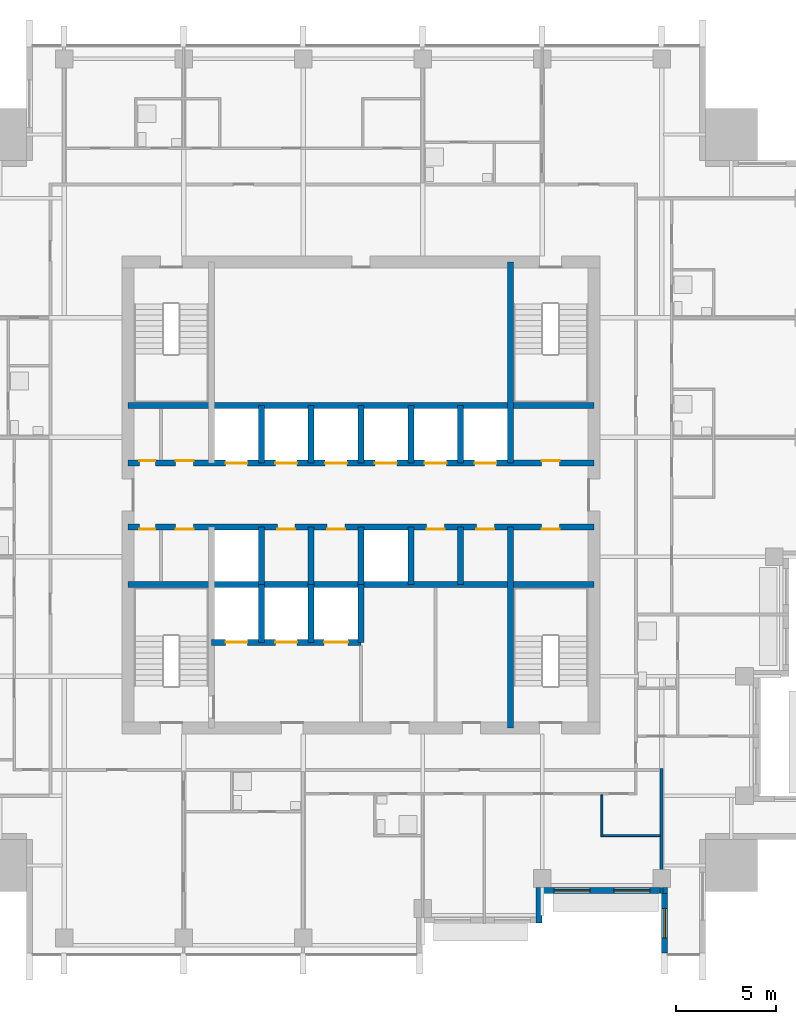
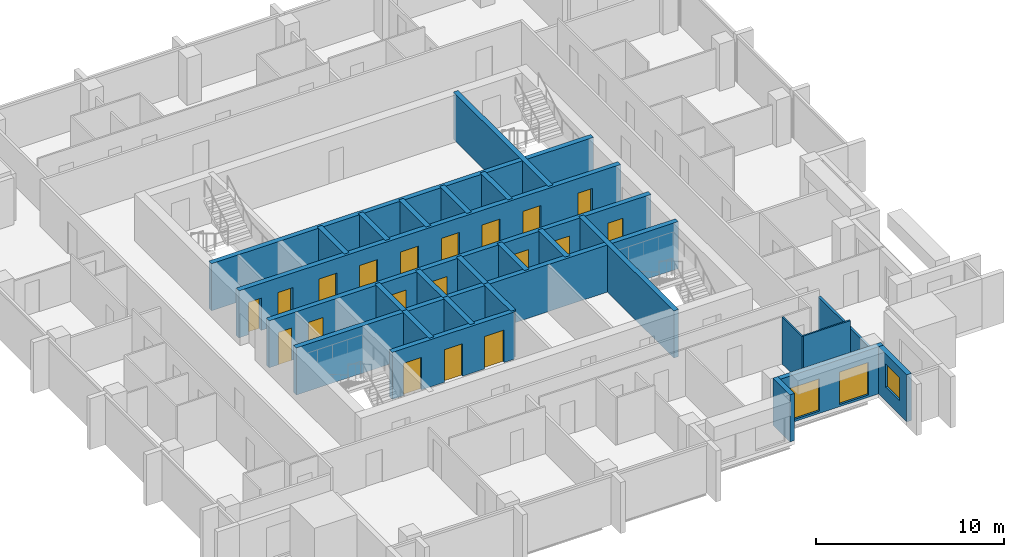
# One storey, part 5 of 10: 26 walls, 19 doors, 3 windows, 22 openings.
"""IFC4 building model written with IfcOpenShell, lengths in metres."""

import ifcopenshell
import ifcopenshell.guid

model = None  # the IFC model being written
_history = None  # IfcOwnerHistory: only IFC2X3 demands one
_inside = {}  # id of a spatial element -> (the spatial element, [elements in it])
_under = {}  # id of a project, library or spatial element -> (it, [spatial elements below it])
_declared = {}  # id of a project -> (the project, [libraries it declares])
_typed = {}  # id of a type object -> (the type object, [elements of that type])
_made_of = {}  # id of a material, layer set ... -> (it, [elements and type objects made of it])


def new_model(schema):
    """Start an empty IFC model of exactly this schema.

    Asked for "IFC4X3", IfcOpenShell would pick the latest addendum, in which some entities
    have other attributes; the version numbers below select the first issue.
    IFC2X3 requires an IfcOwnerHistory on every rooted entity: one is made here for all.
    """
    global model, _history
    if schema == "IFC4X3":
        model = ifcopenshell.file(schema_version=(4, 3, 0, 0))
    else:
        model = ifcopenshell.file(schema=schema)
    _inside.clear()
    _under.clear()
    _declared.clear()
    _typed.clear()
    _made_of.clear()
    _history = None
    if model.schema == "IFC2X3":
        org = make("IfcOrganization", Name="unknown")
        user = make(
            "IfcPersonAndOrganization",
            ThePerson=make("IfcPerson", FamilyName="unknown"),
            TheOrganization=org,
        )
        app = make(
            "IfcApplication",
            ApplicationDeveloper=org,
            Version="unknown",
            ApplicationFullName="unknown",
            ApplicationIdentifier="unknown",
        )
        _history = make(
            "IfcOwnerHistory",
            OwningUser=user,
            OwningApplication=app,
            ChangeAction="ADDED",
            CreationDate=0,
        )
    return model


def make(cls, **values):
    """One entity of the class cls with the attributes given. An attribute that is None is left unset."""
    return model.create_entity(
        cls, **{name: value for name, value in values.items() if value is not None}
    )


def rooted(cls, **values):
    """An entity with a GlobalId (a new one), such as an element, a storey or a relation."""
    return make(cls, GlobalId=ifcopenshell.guid.new(), OwnerHistory=_history, **values)


def si_unit(unit_type, name, prefix=None):
    """IfcSIUnit, for example si_unit("LENGTHUNIT", "METRE", prefix="MILLI")."""
    return make("IfcSIUnit", UnitType=unit_type, Prefix=prefix, Name=name)


def assignment(units):
    """IfcUnitAssignment: the units of a project."""
    return None if units is None else make("IfcUnitAssignment", Units=units)


def point(xyz):
    """IfcCartesianPoint."""
    return None if xyz is None else make("IfcCartesianPoint", Coordinates=xyz)


def direction(xyz):
    """IfcDirection."""
    return None if xyz is None else make("IfcDirection", DirectionRatios=xyz)


def frame(location, z_axis=None, x_axis=None):
    """IfcAxis2Placement3D, a coordinate frame: its origin and axes. An axis left out is left unset."""
    return make(
        "IfcAxis2Placement3D",
        Location=point(location),
        Axis=direction(z_axis),
        RefDirection=direction(x_axis),
    )


def frame_2d(location, x_axis=None):
    """IfcAxis2Placement2D, a coordinate frame in the plane: its origin and x axis."""
    return make(
        "IfcAxis2Placement2D", Location=point(location), RefDirection=direction(x_axis)
    )


def origin():
    """The frame at (0, 0, 0) with its axes left unset."""
    return frame((0.0, 0.0, 0.0))


def place(relative_to, where):
    """IfcLocalPlacement: puts the frame where relative to a parent placement (None: the world)."""
    return make(
        "IfcLocalPlacement", PlacementRelTo=relative_to, RelativePlacement=where
    )


def context(
    kind, dimensions, precision=None, world=None, true_north=None, identifier=None
):
    """IfcGeometricRepresentationContext, for example the 3D "Model" context."""
    return make(
        "IfcGeometricRepresentationContext",
        ContextIdentifier=identifier,
        ContextType=kind,
        CoordinateSpaceDimension=dimensions,
        Precision=precision,
        WorldCoordinateSystem=world,
        TrueNorth=true_north,
    )


def subcontext(parent, identifier, kind, view, scale=None):
    """IfcGeometricRepresentationSubContext, for example "Body" below "Model"."""
    return make(
        "IfcGeometricRepresentationSubContext",
        ContextIdentifier=identifier,
        ContextType=kind,
        ParentContext=parent,
        TargetScale=scale,
        TargetView=view,
    )


def project(units=None, contexts=None):
    """IfcProject with its units and contexts."""
    return rooted(
        "IfcProject",
        Name="project",
        RepresentationContexts=contexts,
        UnitsInContext=assignment(units),
    )


def spatial(cls, under=None, at=None, **own):
    """A site, building, storey or space (cls), placed at a placement, below another one or the project."""
    s = rooted(cls, ObjectPlacement=at, **own)
    if under is not None:
        _under.setdefault(under.id(), (under, []))[1].append(s)
    return s


def profile(cls, at=None, kind="AREA", **sizes):
    """A parametric profile (cls). Its sizes go by their IFC names, for example OverallWidth=200.0."""
    return make(cls, ProfileType=kind, Position=at, **sizes)


def rectangle(**sizes):
    """IfcRectangleProfileDef."""
    return profile("IfcRectangleProfileDef", **sizes)


def extrude(swept, where, along, depth):
    """IfcExtrudedAreaSolid: the profile swept, set in the frame where, extruded along a direction by depth."""
    return make(
        "IfcExtrudedAreaSolid",
        SweptArea=swept,
        Position=where,
        ExtrudedDirection=direction(along),
        Depth=depth,
    )


def shape(context_of_items, identifier, shape_type, items):
    """IfcShapeRepresentation: the items that make up one representation, for example the "Body"."""
    return make(
        "IfcShapeRepresentation",
        ContextOfItems=context_of_items,
        RepresentationIdentifier=identifier,
        RepresentationType=shape_type,
        Items=items,
    )


def material(Name=None, Category=None):
    """IfcMaterial."""
    return make("IfcMaterial", Name=Name, Category=Category)


def layer(
    of_material, thickness, ventilated=None, Name=None, Category=None, Priority=None
):
    """IfcMaterialLayer: one layer of a wall or slab, of a material (None: an air gap)."""
    return make(
        "IfcMaterialLayer",
        Material=of_material,
        LayerThickness=thickness,
        IsVentilated=ventilated,
        Name=Name,
        Category=Category,
        Priority=Priority,
    )


def layer_set(layers, Name=None):
    """IfcMaterialLayerSet."""
    return make("IfcMaterialLayerSet", MaterialLayers=layers, LayerSetName=Name)


def made_of(thing, what):
    """Note that an element or type object is made of a material, layer set ...; save() writes the relation."""
    if what is not None:
        _made_of.setdefault(what.id(), (what, []))[1].append(thing)
    return thing


def type_object(cls, material=None, **own):
    """A type object (cls), such as IfcWallType, which elements share."""
    return made_of(rooted(cls, **own), material)


def element(
    cls,
    number,
    at=None,
    inside=None,
    cuts=None,
    type_object=None,
    material=None,
    context=None,
    identifier="Body",
    shape_type=None,
    held_by="IfcProductDefinitionShape",
    body=None,
    shapes=None,
    **own,
):
    """One element of the class cls, such as IfcWall. Its Tag is "e" and its number.

    at: its placement. inside: the storey or other place that contains it. cuts: it is an
    opening in that element (IfcRelVoidsElement). A single representation is given by context,
    identifier, shape_type and body (its items); several are given by shapes. held_by: the class
    of the entity that holds the representations. save() writes the other relations.
    """
    e = rooted(cls, Tag="e%d" % number, ObjectPlacement=at, **own)
    if body is not None:
        shapes = [shape(context, identifier, shape_type, body)]
    if shapes is not None:
        e.Representation = make(held_by, Representations=shapes)
    if inside is not None:
        _inside.setdefault(inside.id(), (inside, []))[1].append(e)
    if cuts is not None:
        rooted(
            "IfcRelVoidsElement", RelatingBuildingElement=cuts, RelatedOpeningElement=e
        )
    if type_object is not None:
        _typed.setdefault(type_object.id(), (type_object, []))[1].append(e)
    return made_of(e, material)


def fill(opening, filler):
    """IfcRelFillsElement: the door or window that sits in an opening."""
    return rooted(
        "IfcRelFillsElement",
        RelatingOpeningElement=opening,
        RelatedBuildingElement=filler,
    )


def aggregate(whole, parts):
    """IfcRelAggregates: a whole, such as a stair, and the parts it consists of."""
    return rooted("IfcRelAggregates", RelatingObject=whole, RelatedObjects=parts)


def save(model, path):
    """Write the relations noted so far, then the file.

    IfcRelAggregates (storeys below a building ...), IfcRelContainedInSpatialStructure (elements
    in a storey), IfcRelDefinesByType, IfcRelAssociatesMaterial and IfcRelDeclares: one each for
    every whole, place, type object, material and project.
    """
    for whole, parts in _under.values():
        aggregate(whole, parts)
    for where, things in _inside.values():
        rooted(
            "IfcRelContainedInSpatialStructure",
            RelatedElements=things,
            RelatingStructure=where,
        )
    for kind, things in _typed.values():
        rooted("IfcRelDefinesByType", RelatedObjects=things, RelatingType=kind)
    for what, things in _made_of.values():
        rooted("IfcRelAssociatesMaterial", RelatedObjects=things, RelatingMaterial=what)
    for by, libraries in _declared.values():
        rooted("IfcRelDeclares", RelatingContext=by, RelatedDefinitions=libraries)
    model.write(path)


model = new_model("IFC4")

# Units and contexts
model_context = context("Model", 3, precision=1e-05, world=origin(), true_north=direction((0.0, 1.0)))
body_context = subcontext(model_context, "Body", "Model", "MODEL_VIEW")
ifc_project = project(units=[si_unit("LENGTHUNIT", "METRE"), si_unit("AREAUNIT", "SQUARE_METRE"), si_unit("VOLUMEUNIT", "CUBIC_METRE"), si_unit("PLANEANGLEUNIT", "RADIAN"), si_unit("MASSUNIT", "GRAM", prefix="KILO")], contexts=[model_context])

# Site, building, storey
site_placement = place(None, origin())
site = spatial("IfcSite", under=ifc_project, at=site_placement, CompositionType="ELEMENT")
building_placement = place(site_placement, origin())
building = spatial("IfcBuilding", under=site, at=building_placement, Name="Amberfall Residences", CompositionType="ELEMENT")
storey_placement = place(building_placement, frame((0.0, 0.0, 193.60009765625)))
storey = spatial("IfcBuildingStorey", under=building, at=storey_placement, Name="L51", CompositionType="ELEMENT", Elevation=193.60009765625)

# Wall
ifc_material_1 = material(Name="Pale stone cladding on insulated backing", Category="masonry")
ifc_layer_1 = layer(ifc_material_1, 0.300048828125)
ifc_layer_set_1 = layer_set([ifc_layer_1], Name="Bronze clad wall 300")
wall_type_1 = type_object("IfcWallType", Name="Bronze clad wall 300", PredefinedType="SOLIDWALL", material=ifc_layer_set_1)
wall_1_placement = place(storey_placement, frame((83.449951171875, 24.0, 0.0), z_axis=(0.0, 0.0, 1.0), x_axis=(0.0, 1.0, 0.0)))
element("IfcWall", 1, at=wall_1_placement, inside=storey, type_object=wall_type_1, Name="External wall L51 S", PredefinedType="SOLIDWALL", context=body_context, shape_type="SweptSolid", body=[
    extrude(rectangle(XDim=1.800048828125, YDim=0.300048828125, at=frame_2d((0.89990234375, 0.0))), origin(), (0.0, 0.0, 1.0), 3.0498046875),
])

# Wall, opening, window
wall_2_placement = place(storey_placement, frame((89.75, 25.5, 0.0), z_axis=(0.0, 0.0, 1.0), x_axis=(0.0, -1.0, 0.0)))
wall_2 = element("IfcWall", 2, at=wall_2_placement, inside=storey, type_object=wall_type_1, Name="External wall L51 S", PredefinedType="SOLIDWALL", context=body_context, shape_type="SweptSolid", body=[
    extrude(rectangle(XDim=3.0, YDim=0.300048828125, at=frame_2d((1.5, 0.0))), origin(), (0.0, 0.0, 1.0), 3.0498046875),
])
opening_1_placement = place(wall_2_placement, frame((0.75, 0.0, 0.89990234375)))
opening_1 = element("IfcOpeningElement", 3, at=opening_1_placement, cuts=wall_2, Name="Opening WN1", PredefinedType="OPENING", context=body_context, shape_type="SweptSolid", body=[
    extrude(rectangle(XDim=1.5, YDim=1.5, at=frame_2d((0.75, 0.75))), frame((0.0, 0.159912109375, 0.0), z_axis=(0.0, -1.0, 0.0), x_axis=(1.0, 0.0, 0.0)), (0.0, 0.0, 1.0), 0.320068359375),
])
ifc_material_2 = material(Name="Bronze aluminium framed glazing", Category="aluminium")
window_type_1 = type_object("IfcWindowType", Name="Window 1500 x 1500 bronze", PartitioningType="DOUBLE_PANEL_VERTICAL", PredefinedType="WINDOW", material=ifc_material_2)
window_1_placement = place(opening_1_placement, origin())
window_1 = element("IfcWindow", 4, at=window_1_placement, inside=storey, type_object=window_type_1, Name="Window L51 S", OverallHeight=1.5, OverallWidth=1.5, PartitioningType="DOUBLE_PANEL_VERTICAL", PredefinedType="WINDOW", context=body_context, shape_type="SweptSolid", body=[
    extrude(rectangle(XDim=1.5, YDim=1.5, at=frame_2d((0.75, 0.75))), frame((0.0, 0.030029296875, 0.0), z_axis=(0.0, -1.0, 0.0), x_axis=(1.0, 0.0, 0.0)), (0.0, 0.0, 1.0), 0.06005859375),
])
fill(opening_1, window_1)

# Wall, openings, windows
wall_3_placement = place(storey_placement, frame((83.60009765625, 25.64990234375, 0.0), z_axis=(0.0, 0.0, 1.0), x_axis=(1.0, 0.0, 0.0)))
wall_3 = element("IfcWall", 5, at=wall_3_placement, inside=storey, type_object=wall_type_1, Name="Stone wall L51 S", PredefinedType="SOLIDWALL", context=body_context, shape_type="SweptSolid", body=[
    extrude(rectangle(XDim=6.2998046875, YDim=0.300048828125, at=frame_2d((3.14990234375, 0.0))), origin(), (0.0, 0.0, 1.0), 3.0498046875),
])
opening_2_placement = place(wall_3_placement, frame((0.60009765625, 0.0, 0.14990234375)))
opening_2 = element("IfcOpeningElement", 6, at=opening_2_placement, cuts=wall_3, Name="Opening WN6", PredefinedType="OPENING", context=body_context, shape_type="SweptSolid", body=[
    extrude(rectangle(XDim=1.800048828125, YDim=2.10009765625, at=frame_2d((0.89990234375, 1.050048828125))), frame((0.0, 0.159912109375, 0.0), z_axis=(0.0, -1.0, 0.0), x_axis=(1.0, 0.0, 0.0)), (0.0, 0.0, 1.0), 0.320068359375),
])
opening_3_placement = place(wall_3_placement, frame((3.60009765625, 0.0, 0.14990234375)))
opening_3 = element("IfcOpeningElement", 7, at=opening_3_placement, cuts=wall_3, Name="Opening WN6", PredefinedType="OPENING", context=body_context, shape_type="SweptSolid", body=[
    extrude(rectangle(XDim=1.800048828125, YDim=2.10009765625, at=frame_2d((0.89990234375, 1.050048828125))), frame((0.0, 0.159912109375, 0.0), z_axis=(0.0, -1.0, 0.0), x_axis=(1.0, 0.0, 0.0)), (0.0, 0.0, 1.0), 0.320068359375),
])
window_type_2 = type_object("IfcWindowType", Name="Glazed opening 1800 x 2100 bronze", PartitioningType="DOUBLE_PANEL_VERTICAL", PredefinedType="WINDOW", material=ifc_material_2)
window_2_placement = place(opening_2_placement, origin())
window_2 = element("IfcWindow", 8, at=window_2_placement, inside=storey, type_object=window_type_2, Name="Window L51 S", OverallHeight=2.10009765625, OverallWidth=1.800048828125, PartitioningType="DOUBLE_PANEL_VERTICAL", PredefinedType="WINDOW", context=body_context, shape_type="SweptSolid", body=[
    extrude(rectangle(XDim=1.800048828125, YDim=2.10009765625, at=frame_2d((0.89990234375, 1.050048828125))), frame((0.0, 0.030029296875, 0.0), z_axis=(0.0, -1.0, 0.0), x_axis=(1.0, 0.0, 0.0)), (0.0, 0.0, 1.0), 0.06005859375),
])
fill(opening_2, window_2)
window_3_placement = place(opening_3_placement, origin())
window_3 = element("IfcWindow", 9, at=window_3_placement, inside=storey, type_object=window_type_2, Name="Window L51 S", OverallHeight=2.10009765625, OverallWidth=1.800048828125, PartitioningType="DOUBLE_PANEL_VERTICAL", PredefinedType="WINDOW", context=body_context, shape_type="SweptSolid", body=[
    extrude(rectangle(XDim=1.800048828125, YDim=2.10009765625, at=frame_2d((0.89990234375, 1.050048828125))), frame((0.0, 0.030029296875, 0.0), z_axis=(0.0, -1.0, 0.0), x_axis=(1.0, 0.0, 0.0)), (0.0, 0.0, 1.0), 0.06005859375),
])
fill(opening_3, window_3)

# Wall
ifc_material_3 = material(Name="Concrete C55", Category="concrete")
ifc_layer_2 = layer(ifc_material_3, 0.300048828125)
ifc_layer_set_2 = layer_set([ifc_layer_2], Name="Core wall 300 C55")
wall_type_2 = type_object("IfcWallType", Name="Core wall 300 C55", PredefinedType="SHEAR", material=ifc_layer_set_2)
wall_4_placement = place(storey_placement, frame((62.800048828125, 41.0, 0.0), z_axis=(0.0, 0.0, 1.0), x_axis=(1.0, 0.0, 0.0)))
element("IfcWall", 10, at=wall_4_placement, inside=storey, type_object=wall_type_2, Name="Core wall RW8 L51 H75", PredefinedType="SHEAR", context=body_context, shape_type="SweptSolid", body=[
    extrude(rectangle(XDim=23.39990234375, YDim=0.300048828125, at=frame_2d((11.699951171875, 0.0))), origin(), (0.0, 0.0, 1.0), 3.0498046875),
])

# Wall, openings, doors
wall_5_placement = place(storey_placement, frame((62.800048828125, 43.89990234375, 0.0), z_axis=(0.0, 0.0, 1.0), x_axis=(1.0, 0.0, 0.0)))
wall_5 = element("IfcWall", 11, at=wall_5_placement, inside=storey, type_object=wall_type_2, Name="Core wall RW8 L51 H104", PredefinedType="SHEAR", context=body_context, shape_type="SweptSolid", body=[
    extrude(rectangle(XDim=23.39990234375, YDim=0.300048828125, at=frame_2d((11.699951171875, 0.0))), origin(), (0.0, 0.0, 1.0), 3.0498046875),
])
opening_4_placement = place(wall_5_placement, frame((0.574951171875, 0.0, 0.0)))
opening_4 = element("IfcOpeningElement", 12, at=opening_4_placement, cuts=wall_5, Name="Opening RD2", PredefinedType="OPENING", context=body_context, shape_type="SweptSolid", body=[
    extrude(rectangle(XDim=0.800048828125, YDim=2.10009765625, at=frame_2d((0.39990234375, 1.050048828125))), frame((0.0, 0.159912109375, 0.0), z_axis=(0.0, -1.0, 0.0), x_axis=(1.0, 0.0, 0.0)), (0.0, 0.0, 1.0), 0.320068359375),
])
opening_5_placement = place(wall_5_placement, frame((2.39990234375, 0.0, 0.0)))
opening_5 = element("IfcOpeningElement", 13, at=opening_5_placement, cuts=wall_5, Name="Opening RD1", PredefinedType="OPENING", context=body_context, shape_type="SweptSolid", body=[
    extrude(rectangle(XDim=0.89990234375, YDim=2.10009765625, at=frame_2d((0.449951171875, 1.050048828125))), frame((0.0, 0.159912109375, 0.0), z_axis=(0.0, -1.0, 0.0), x_axis=(1.0, 0.0, 0.0)), (0.0, 0.0, 1.0), 0.320068359375),
])
opening_6_placement = place(wall_5_placement, frame((20.77490234375, 0.0, 0.0)))
opening_6 = element("IfcOpeningElement", 14, at=opening_6_placement, cuts=wall_5, Name="Opening RD1", PredefinedType="OPENING", context=body_context, shape_type="SweptSolid", body=[
    extrude(rectangle(XDim=0.89990234375, YDim=2.10009765625, at=frame_2d((0.449951171875, 1.050048828125))), frame((0.0, 0.159912109375, 0.0), z_axis=(0.0, -1.0, 0.0), x_axis=(1.0, 0.0, 0.0)), (0.0, 0.0, 1.0), 0.320068359375),
])
opening_7_placement = place(wall_5_placement, frame((7.5, 0.0, 0.0)))
opening_7 = element("IfcOpeningElement", 15, at=opening_7_placement, cuts=wall_5, Name="Opening RD1", PredefinedType="OPENING", context=body_context, shape_type="SweptSolid", body=[
    extrude(rectangle(XDim=0.89990234375, YDim=2.10009765625, at=frame_2d((0.449951171875, 1.050048828125))), frame((0.0, 0.159912109375, 0.0), z_axis=(0.0, -1.0, 0.0), x_axis=(1.0, 0.0, 0.0)), (0.0, 0.0, 1.0), 0.320068359375),
])
opening_8_placement = place(wall_5_placement, frame((10.0, 0.0, 0.0)))
opening_8 = element("IfcOpeningElement", 16, at=opening_8_placement, cuts=wall_5, Name="Opening RD1", PredefinedType="OPENING", context=body_context, shape_type="SweptSolid", body=[
    extrude(rectangle(XDim=0.89990234375, YDim=2.10009765625, at=frame_2d((0.449951171875, 1.050048828125))), frame((0.0, 0.159912109375, 0.0), z_axis=(0.0, -1.0, 0.0), x_axis=(1.0, 0.0, 0.0)), (0.0, 0.0, 1.0), 0.320068359375),
])
opening_9_placement = place(wall_5_placement, frame((15.0, 0.0, 0.0)))
opening_9 = element("IfcOpeningElement", 17, at=opening_9_placement, cuts=wall_5, Name="Opening RD1", PredefinedType="OPENING", context=body_context, shape_type="SweptSolid", body=[
    extrude(rectangle(XDim=0.89990234375, YDim=2.10009765625, at=frame_2d((0.449951171875, 1.050048828125))), frame((0.0, 0.159912109375, 0.0), z_axis=(0.0, -1.0, 0.0), x_axis=(1.0, 0.0, 0.0)), (0.0, 0.0, 1.0), 0.320068359375),
])
opening_10_placement = place(wall_5_placement, frame((17.5, 0.0, 0.0)))
opening_10 = element("IfcOpeningElement", 18, at=opening_10_placement, cuts=wall_5, Name="Opening RD1", PredefinedType="OPENING", context=body_context, shape_type="SweptSolid", body=[
    extrude(rectangle(XDim=0.89990234375, YDim=2.10009765625, at=frame_2d((0.449951171875, 1.050048828125))), frame((0.0, 0.159912109375, 0.0), z_axis=(0.0, -1.0, 0.0), x_axis=(1.0, 0.0, 0.0)), (0.0, 0.0, 1.0), 0.320068359375),
])
ifc_material_4 = material(Name="Steel fire door set", Category="steel")
door_type_1 = type_object("IfcDoorType", Name="Service room door 800 x 2100", OperationType="SINGLE_SWING_LEFT", PredefinedType="DOOR", material=ifc_material_4)
door_1_placement = place(opening_4_placement, origin())
door_1 = element("IfcDoor", 19, at=door_1_placement, inside=storey, type_object=door_type_1, Name="RD2 L51", OperationType="SINGLE_SWING_LEFT", OverallHeight=2.10009765625, OverallWidth=0.800048828125, PredefinedType="DOOR", context=body_context, shape_type="SweptSolid", body=[
    extrude(rectangle(XDim=0.800048828125, YDim=2.10009765625, at=frame_2d((0.39990234375, 1.050048828125))), frame((0.0, -0.08740234375, 0.0), z_axis=(0.0, -1.0, 0.0), x_axis=(1.0, 0.0, 0.0)), (0.0, 0.0, 1.0), 0.050048828125),
])
fill(opening_4, door_1)
door_type_2 = type_object("IfcDoorType", Name="Service room door 900 x 2100", OperationType="SINGLE_SWING_LEFT", PredefinedType="DOOR", material=ifc_material_4)
door_2_placement = place(opening_5_placement, origin())
door_2 = element("IfcDoor", 20, at=door_2_placement, inside=storey, type_object=door_type_2, Name="RD1 L51", OperationType="SINGLE_SWING_RIGHT", OverallHeight=2.10009765625, OverallWidth=0.89990234375, PredefinedType="DOOR", context=body_context, shape_type="SweptSolid", body=[
    extrude(rectangle(XDim=0.89990234375, YDim=2.10009765625, at=frame_2d((0.449951171875, 1.050048828125))), frame((0.0, -0.08740234375, 0.0), z_axis=(0.0, -1.0, 0.0), x_axis=(1.0, 0.0, 0.0)), (0.0, 0.0, 1.0), 0.050048828125),
])
fill(opening_5, door_2)
door_3_placement = place(opening_6_placement, origin())
door_3 = element("IfcDoor", 21, at=door_3_placement, inside=storey, type_object=door_type_2, Name="RD1 L51", OperationType="SINGLE_SWING_LEFT", OverallHeight=2.10009765625, OverallWidth=0.89990234375, PredefinedType="DOOR", context=body_context, shape_type="SweptSolid", body=[
    extrude(rectangle(XDim=0.89990234375, YDim=2.10009765625, at=frame_2d((0.449951171875, 1.050048828125))), frame((0.0, -0.08740234375, 0.0), z_axis=(0.0, -1.0, 0.0), x_axis=(1.0, 0.0, 0.0)), (0.0, 0.0, 1.0), 0.050048828125),
])
fill(opening_6, door_3)
door_4_placement = place(opening_7_placement, origin())
door_4 = element("IfcDoor", 22, at=door_4_placement, inside=storey, type_object=door_type_2, Name="RD1 L51", OperationType="SINGLE_SWING_LEFT", OverallHeight=2.10009765625, OverallWidth=0.89990234375, PredefinedType="DOOR", context=body_context, shape_type="SweptSolid", body=[
    extrude(rectangle(XDim=0.89990234375, YDim=2.10009765625, at=frame_2d((0.449951171875, 1.050048828125))), frame((0.0, -0.08740234375, 0.0), z_axis=(0.0, -1.0, 0.0), x_axis=(1.0, 0.0, 0.0)), (0.0, 0.0, 1.0), 0.050048828125),
])
fill(opening_7, door_4)
door_5_placement = place(opening_8_placement, origin())
door_5 = element("IfcDoor", 23, at=door_5_placement, inside=storey, type_object=door_type_2, Name="RD1 L51", OperationType="SINGLE_SWING_RIGHT", OverallHeight=2.10009765625, OverallWidth=0.89990234375, PredefinedType="DOOR", context=body_context, shape_type="SweptSolid", body=[
    extrude(rectangle(XDim=0.89990234375, YDim=2.10009765625, at=frame_2d((0.449951171875, 1.050048828125))), frame((0.0, -0.08740234375, 0.0), z_axis=(0.0, -1.0, 0.0), x_axis=(1.0, 0.0, 0.0)), (0.0, 0.0, 1.0), 0.050048828125),
])
fill(opening_8, door_5)
door_6_placement = place(opening_9_placement, origin())
door_6 = element("IfcDoor", 24, at=door_6_placement, inside=storey, type_object=door_type_2, Name="RD1 L51", OperationType="SINGLE_SWING_RIGHT", OverallHeight=2.10009765625, OverallWidth=0.89990234375, PredefinedType="DOOR", context=body_context, shape_type="SweptSolid", body=[
    extrude(rectangle(XDim=0.89990234375, YDim=2.10009765625, at=frame_2d((0.449951171875, 1.050048828125))), frame((0.0, -0.08740234375, 0.0), z_axis=(0.0, -1.0, 0.0), x_axis=(1.0, 0.0, 0.0)), (0.0, 0.0, 1.0), 0.050048828125),
])
fill(opening_9, door_6)
door_7_placement = place(opening_10_placement, origin())
door_7 = element("IfcDoor", 25, at=door_7_placement, inside=storey, type_object=door_type_2, Name="RD1 L51", OperationType="SINGLE_SWING_LEFT", OverallHeight=2.10009765625, OverallWidth=0.89990234375, PredefinedType="DOOR", context=body_context, shape_type="SweptSolid", body=[
    extrude(rectangle(XDim=0.89990234375, YDim=2.10009765625, at=frame_2d((0.449951171875, 1.050048828125))), frame((0.0, -0.08740234375, 0.0), z_axis=(0.0, -1.0, 0.0), x_axis=(1.0, 0.0, 0.0)), (0.0, 0.0, 1.0), 0.050048828125),
])
fill(opening_10, door_7)

wall_6_placement = place(storey_placement, frame((62.800048828125, 47.10009765625, 0.0), z_axis=(0.0, 0.0, 1.0), x_axis=(1.0, 0.0, 0.0)))
wall_6 = element("IfcWall", 26, at=wall_6_placement, inside=storey, type_object=wall_type_2, Name="Core wall RW8 L51 H136", PredefinedType="SHEAR", context=body_context, shape_type="SweptSolid", body=[
    extrude(rectangle(XDim=23.39990234375, YDim=0.300048828125, at=frame_2d((11.699951171875, 0.0))), origin(), (0.0, 0.0, 1.0), 3.0498046875),
])
opening_11_placement = place(wall_6_placement, frame((0.574951171875, 0.0, 0.0)))
opening_11 = element("IfcOpeningElement", 27, at=opening_11_placement, cuts=wall_6, Name="Opening RD2", PredefinedType="OPENING", context=body_context, shape_type="SweptSolid", body=[
    extrude(rectangle(XDim=0.800048828125, YDim=2.10009765625, at=frame_2d((0.39990234375, 1.050048828125))), frame((0.0, 0.159912109375, 0.0), z_axis=(0.0, -1.0, 0.0), x_axis=(1.0, 0.0, 0.0)), (0.0, 0.0, 1.0), 0.320068359375),
])
opening_12_placement = place(wall_6_placement, frame((2.39990234375, 0.0, 0.0)))
opening_12 = element("IfcOpeningElement", 28, at=opening_12_placement, cuts=wall_6, Name="Opening RD1", PredefinedType="OPENING", context=body_context, shape_type="SweptSolid", body=[
    extrude(rectangle(XDim=0.89990234375, YDim=2.10009765625, at=frame_2d((0.449951171875, 1.050048828125))), frame((0.0, 0.159912109375, 0.0), z_axis=(0.0, -1.0, 0.0), x_axis=(1.0, 0.0, 0.0)), (0.0, 0.0, 1.0), 0.320068359375),
])
opening_13_placement = place(wall_6_placement, frame((20.77490234375, 0.0, 0.0)))
opening_13 = element("IfcOpeningElement", 29, at=opening_13_placement, cuts=wall_6, Name="Opening RD1", PredefinedType="OPENING", context=body_context, shape_type="SweptSolid", body=[
    extrude(rectangle(XDim=0.89990234375, YDim=2.10009765625, at=frame_2d((0.449951171875, 1.050048828125))), frame((0.0, 0.159912109375, 0.0), z_axis=(0.0, -1.0, 0.0), x_axis=(1.0, 0.0, 0.0)), (0.0, 0.0, 1.0), 0.320068359375),
])
opening_14_placement = place(wall_6_placement, frame((4.89990234375, 0.0, 0.0)))
opening_14 = element("IfcOpeningElement", 30, at=opening_14_placement, cuts=wall_6, Name="Opening LD1", PredefinedType="OPENING", context=body_context, shape_type="SweptSolid", body=[
    extrude(rectangle(XDim=1.10009765625, YDim=2.10009765625, at=frame_2d((0.550048828125, 1.050048828125))), frame((0.0, 0.159912109375, 0.0), z_axis=(0.0, -1.0, 0.0), x_axis=(1.0, 0.0, 0.0)), (0.0, 0.0, 1.0), 0.320068359375),
])
opening_15_placement = place(wall_6_placement, frame((7.39990234375, 0.0, 0.0)))
opening_15 = element("IfcOpeningElement", 31, at=opening_15_placement, cuts=wall_6, Name="Opening LD1", PredefinedType="OPENING", context=body_context, shape_type="SweptSolid", body=[
    extrude(rectangle(XDim=1.10009765625, YDim=2.10009765625, at=frame_2d((0.550048828125, 1.050048828125))), frame((0.0, 0.159912109375, 0.0), z_axis=(0.0, -1.0, 0.0), x_axis=(1.0, 0.0, 0.0)), (0.0, 0.0, 1.0), 0.320068359375),
])
opening_16_placement = place(wall_6_placement, frame((9.89990234375, 0.0, 0.0)))
opening_16 = element("IfcOpeningElement", 32, at=opening_16_placement, cuts=wall_6, Name="Opening LD1", PredefinedType="OPENING", context=body_context, shape_type="SweptSolid", body=[
    extrude(rectangle(XDim=1.10009765625, YDim=2.10009765625, at=frame_2d((0.550048828125, 1.050048828125))), frame((0.0, 0.159912109375, 0.0), z_axis=(0.0, -1.0, 0.0), x_axis=(1.0, 0.0, 0.0)), (0.0, 0.0, 1.0), 0.320068359375),
])
opening_17_placement = place(wall_6_placement, frame((12.39990234375, 0.0, 0.0)))
opening_17 = element("IfcOpeningElement", 33, at=opening_17_placement, cuts=wall_6, Name="Opening LD1", PredefinedType="OPENING", context=body_context, shape_type="SweptSolid", body=[
    extrude(rectangle(XDim=1.10009765625, YDim=2.10009765625, at=frame_2d((0.550048828125, 1.050048828125))), frame((0.0, 0.159912109375, 0.0), z_axis=(0.0, -1.0, 0.0), x_axis=(1.0, 0.0, 0.0)), (0.0, 0.0, 1.0), 0.320068359375),
])
opening_18_placement = place(wall_6_placement, frame((14.89990234375, 0.0, 0.0)))
opening_18 = element("IfcOpeningElement", 34, at=opening_18_placement, cuts=wall_6, Name="Opening LD1", PredefinedType="OPENING", context=body_context, shape_type="SweptSolid", body=[
    extrude(rectangle(XDim=1.10009765625, YDim=2.10009765625, at=frame_2d((0.550048828125, 1.050048828125))), frame((0.0, 0.159912109375, 0.0), z_axis=(0.0, -1.0, 0.0), x_axis=(1.0, 0.0, 0.0)), (0.0, 0.0, 1.0), 0.320068359375),
])
opening_19_placement = place(wall_6_placement, frame((17.39990234375, 0.0, 0.0)))
opening_19 = element("IfcOpeningElement", 35, at=opening_19_placement, cuts=wall_6, Name="Opening LD1", PredefinedType="OPENING", context=body_context, shape_type="SweptSolid", body=[
    extrude(rectangle(XDim=1.10009765625, YDim=2.10009765625, at=frame_2d((0.550048828125, 1.050048828125))), frame((0.0, 0.159912109375, 0.0), z_axis=(0.0, -1.0, 0.0), x_axis=(1.0, 0.0, 0.0)), (0.0, 0.0, 1.0), 0.320068359375),
])
door_type_3 = type_object("IfcDoorType", Name="Lift landing door 1100 x 2100", OperationType="DOUBLE_DOOR_SLIDING", PredefinedType="DOOR", material=ifc_material_4)
door_8_placement = place(opening_14_placement, origin())
door_8 = element("IfcDoor", 36, at=door_8_placement, inside=storey, type_object=door_type_3, Name="Landing door HP1 L51", OperationType="DOUBLE_DOOR_SLIDING", OverallHeight=2.10009765625, OverallWidth=1.10009765625, PredefinedType="DOOR", context=body_context, shape_type="SweptSolid", body=[
    extrude(rectangle(XDim=1.10009765625, YDim=2.10009765625, at=frame_2d((0.550048828125, 1.050048828125))), frame((0.0, 0.02490234375, 0.0), z_axis=(0.0, -1.0, 0.0), x_axis=(1.0, 0.0, 0.0)), (0.0, 0.0, 1.0), 0.050048828125),
])
fill(opening_14, door_8)
door_9_placement = place(opening_15_placement, origin())
door_9 = element("IfcDoor", 37, at=door_9_placement, inside=storey, type_object=door_type_3, Name="Landing door HP2 L51", OperationType="DOUBLE_DOOR_SLIDING", OverallHeight=2.10009765625, OverallWidth=1.10009765625, PredefinedType="DOOR", context=body_context, shape_type="SweptSolid", body=[
    extrude(rectangle(XDim=1.10009765625, YDim=2.10009765625, at=frame_2d((0.550048828125, 1.050048828125))), frame((0.0, 0.02490234375, 0.0), z_axis=(0.0, -1.0, 0.0), x_axis=(1.0, 0.0, 0.0)), (0.0, 0.0, 1.0), 0.050048828125),
])
fill(opening_15, door_9)
door_10_placement = place(opening_16_placement, origin())
door_10 = element("IfcDoor", 38, at=door_10_placement, inside=storey, type_object=door_type_3, Name="Landing door HP3 L51", OperationType="DOUBLE_DOOR_SLIDING", OverallHeight=2.10009765625, OverallWidth=1.10009765625, PredefinedType="DOOR", context=body_context, shape_type="SweptSolid", body=[
    extrude(rectangle(XDim=1.10009765625, YDim=2.10009765625, at=frame_2d((0.550048828125, 1.050048828125))), frame((0.0, 0.02490234375, 0.0), z_axis=(0.0, -1.0, 0.0), x_axis=(1.0, 0.0, 0.0)), (0.0, 0.0, 1.0), 0.050048828125),
])
fill(opening_16, door_10)
door_11_placement = place(opening_17_placement, origin())
door_11 = element("IfcDoor", 39, at=door_11_placement, inside=storey, type_object=door_type_3, Name="Landing door HP4 L51", OperationType="DOUBLE_DOOR_SLIDING", OverallHeight=2.10009765625, OverallWidth=1.10009765625, PredefinedType="DOOR", context=body_context, shape_type="SweptSolid", body=[
    extrude(rectangle(XDim=1.10009765625, YDim=2.10009765625, at=frame_2d((0.550048828125, 1.050048828125))), frame((0.0, 0.02490234375, 0.0), z_axis=(0.0, -1.0, 0.0), x_axis=(1.0, 0.0, 0.0)), (0.0, 0.0, 1.0), 0.050048828125),
])
fill(opening_17, door_11)
door_12_placement = place(opening_18_placement, origin())
door_12 = element("IfcDoor", 40, at=door_12_placement, inside=storey, type_object=door_type_3, Name="Landing door HP5 L51", OperationType="DOUBLE_DOOR_SLIDING", OverallHeight=2.10009765625, OverallWidth=1.10009765625, PredefinedType="DOOR", context=body_context, shape_type="SweptSolid", body=[
    extrude(rectangle(XDim=1.10009765625, YDim=2.10009765625, at=frame_2d((0.550048828125, 1.050048828125))), frame((0.0, 0.02490234375, 0.0), z_axis=(0.0, -1.0, 0.0), x_axis=(1.0, 0.0, 0.0)), (0.0, 0.0, 1.0), 0.050048828125),
])
fill(opening_18, door_12)
door_13_placement = place(opening_19_placement, origin())
door_13 = element("IfcDoor", 41, at=door_13_placement, inside=storey, type_object=door_type_3, Name="Landing door HP6 L51", OperationType="DOUBLE_DOOR_SLIDING", OverallHeight=2.10009765625, OverallWidth=1.10009765625, PredefinedType="DOOR", context=body_context, shape_type="SweptSolid", body=[
    extrude(rectangle(XDim=1.10009765625, YDim=2.10009765625, at=frame_2d((0.550048828125, 1.050048828125))), frame((0.0, 0.02490234375, 0.0), z_axis=(0.0, -1.0, 0.0), x_axis=(1.0, 0.0, 0.0)), (0.0, 0.0, 1.0), 0.050048828125),
])
fill(opening_19, door_13)
door_14_placement = place(opening_11_placement, origin())
door_14 = element("IfcDoor", 42, at=door_14_placement, inside=storey, type_object=door_type_1, Name="RD2 L51", OperationType="SINGLE_SWING_LEFT", OverallHeight=2.10009765625, OverallWidth=0.800048828125, PredefinedType="DOOR", context=body_context, shape_type="SweptSolid", body=[
    extrude(rectangle(XDim=0.800048828125, YDim=2.10009765625, at=frame_2d((0.39990234375, 1.050048828125))), frame((0.0, 0.1376953125, 0.0), z_axis=(0.0, -1.0, 0.0), x_axis=(1.0, 0.0, 0.0)), (0.0, 0.0, 1.0), 0.050048828125),
])
fill(opening_11, door_14)
door_15_placement = place(opening_12_placement, origin())
door_15 = element("IfcDoor", 43, at=door_15_placement, inside=storey, type_object=door_type_2, Name="RD1 L51", OperationType="SINGLE_SWING_RIGHT", OverallHeight=2.10009765625, OverallWidth=0.89990234375, PredefinedType="DOOR", context=body_context, shape_type="SweptSolid", body=[
    extrude(rectangle(XDim=0.89990234375, YDim=2.10009765625, at=frame_2d((0.449951171875, 1.050048828125))), frame((0.0, 0.1376953125, 0.0), z_axis=(0.0, -1.0, 0.0), x_axis=(1.0, 0.0, 0.0)), (0.0, 0.0, 1.0), 0.050048828125),
])
fill(opening_12, door_15)
door_16_placement = place(opening_13_placement, origin())
door_16 = element("IfcDoor", 44, at=door_16_placement, inside=storey, type_object=door_type_2, Name="RD1 L51", OperationType="SINGLE_SWING_LEFT", OverallHeight=2.10009765625, OverallWidth=0.89990234375, PredefinedType="DOOR", context=body_context, shape_type="SweptSolid", body=[
    extrude(rectangle(XDim=0.89990234375, YDim=2.10009765625, at=frame_2d((0.449951171875, 1.050048828125))), frame((0.0, 0.1376953125, 0.0), z_axis=(0.0, -1.0, 0.0), x_axis=(1.0, 0.0, 0.0)), (0.0, 0.0, 1.0), 0.050048828125),
])
fill(opening_13, door_16)

# Walls
wall_7_placement = place(storey_placement, frame((62.800048828125, 50.0, 0.0), z_axis=(0.0, 0.0, 1.0), x_axis=(1.0, 0.0, 0.0)))
element("IfcWall", 45, at=wall_7_placement, inside=storey, type_object=wall_type_2, Name="Core wall RW8 L51 H165", PredefinedType="SHEAR", context=body_context, shape_type="SweptSolid", body=[
    extrude(rectangle(XDim=23.39990234375, YDim=0.300048828125, at=frame_2d((11.699951171875, 0.0))), origin(), (0.0, 0.0, 1.0), 3.0498046875),
])
for number, where, z_axis, x_axis, name in (
    (46, (82.0, 33.800048828125, 0.0), (0.0, 0.0, 1.0), (0.0, 1.0, 0.0), "Core wall RW8 L51 V195S"),
    (47, (82.0, 47.10009765625, 0.0), (0.0, 0.0, 1.0), (0.0, 1.0, 0.0), "Core wall RW8 L51 V195N"),
):
    element("IfcWall", number, at=place(storey_placement, frame(where, z_axis=z_axis, x_axis=x_axis)), inside=storey, type_object=wall_type_2, Name=name, PredefinedType="SHEAR", context=body_context, shape_type="SweptSolid", body=[
        extrude(rectangle(XDim=10.099853515625, YDim=0.300048828125, at=frame_2d((5.0498046875, 0.0))), origin(), (0.0, 0.0, 1.0), 3.0498046875),
    ])
for number, where, z_axis, x_axis, name in (
    (48, (69.5, 41.0, 0.0), (0.0, 0.0, 1.0), (0.0, 1.0, 0.0), "Core wall RW8 L51 LPD1"),
    (49, (69.5, 47.10009765625, 0.0), (0.0, 0.0, 1.0), (0.0, 1.0, 0.0), "Core wall RW8 L51 HPD1"),
    (50, (72.0, 41.0, 0.0), (0.0, 0.0, 1.0), (0.0, 1.0, 0.0), "Core wall RW8 L51 LPD2"),
    (51, (72.0, 47.10009765625, 0.0), (0.0, 0.0, 1.0), (0.0, 1.0, 0.0), "Core wall RW8 L51 HPD2"),
    (52, (74.5, 41.0, 0.0), (0.0, 0.0, 1.0), (0.0, 1.0, 0.0), "Core wall RW8 L51 LPD3"),
    (53, (74.5, 47.10009765625, 0.0), (0.0, 0.0, 1.0), (0.0, 1.0, 0.0), "Core wall RW8 L51 HPD3"),
    (54, (77.0, 41.0, 0.0), (0.0, 0.0, 1.0), (0.0, 1.0, 0.0), "Core wall RW8 L51 LPD4"),
    (55, (77.0, 47.10009765625, 0.0), (0.0, 0.0, 1.0), (0.0, 1.0, 0.0), "Core wall RW8 L51 HPD4"),
    (56, (79.5, 41.0, 0.0), (0.0, 0.0, 1.0), (0.0, 1.0, 0.0), "Core wall RW8 L51 LPD5"),
    (57, (79.5, 47.10009765625, 0.0), (0.0, 0.0, 1.0), (0.0, 1.0, 0.0), "Core wall RW8 L51 HPD5"),
):
    element("IfcWall", number, at=place(storey_placement, frame(where, z_axis=z_axis, x_axis=x_axis)), inside=storey, type_object=wall_type_2, Name=name, PredefinedType="SHEAR", context=body_context, shape_type="SweptSolid", body=[
        extrude(rectangle(XDim=2.89990234375, YDim=0.300048828125, at=frame_2d((1.449951171875, 0.0))), origin(), (0.0, 0.0, 1.0), 3.0498046875),
    ])

# Wall, openings, doors
wall_8_placement = place(storey_placement, frame((67.0, 38.10009765625, 0.0), z_axis=(0.0, 0.0, 1.0), x_axis=(1.0, 0.0, 0.0)))
wall_8 = element("IfcWall", 58, at=wall_8_placement, inside=storey, type_object=wall_type_2, Name="Core wall RW8 L51 FFF", PredefinedType="SHEAR", context=body_context, shape_type="SweptSolid", body=[
    extrude(rectangle(XDim=7.5, YDim=0.300048828125, at=frame_2d((3.75, 0.0))), origin(), (0.0, 0.0, 1.0), 3.0498046875),
])
opening_20_placement = place(wall_8_placement, frame((0.699951171875, 0.0, 0.0)))
opening_20 = element("IfcOpeningElement", 59, at=opening_20_placement, cuts=wall_8, Name="Opening LD2", PredefinedType="OPENING", context=body_context, shape_type="SweptSolid", body=[
    extrude(rectangle(XDim=1.10009765625, YDim=2.10009765625, at=frame_2d((0.550048828125, 1.050048828125))), frame((0.0, 0.159912109375, 0.0), z_axis=(0.0, -1.0, 0.0), x_axis=(1.0, 0.0, 0.0)), (0.0, 0.0, 1.0), 0.320068359375),
])
opening_21_placement = place(wall_8_placement, frame((3.199951171875, 0.0, 0.0)))
opening_21 = element("IfcOpeningElement", 60, at=opening_21_placement, cuts=wall_8, Name="Opening LD2", PredefinedType="OPENING", context=body_context, shape_type="SweptSolid", body=[
    extrude(rectangle(XDim=1.10009765625, YDim=2.10009765625, at=frame_2d((0.550048828125, 1.050048828125))), frame((0.0, 0.159912109375, 0.0), z_axis=(0.0, -1.0, 0.0), x_axis=(1.0, 0.0, 0.0)), (0.0, 0.0, 1.0), 0.320068359375),
])
opening_22_placement = place(wall_8_placement, frame((5.64990234375, 0.0, 0.0)))
opening_22 = element("IfcOpeningElement", 61, at=opening_22_placement, cuts=wall_8, Name="Opening LD3", PredefinedType="OPENING", context=body_context, shape_type="SweptSolid", body=[
    extrude(rectangle(XDim=1.199951171875, YDim=2.10009765625, at=frame_2d((0.60009765625, 1.050048828125))), frame((0.0, 0.159912109375, 0.0), z_axis=(0.0, -1.0, 0.0), x_axis=(1.0, 0.0, 0.0)), (0.0, 0.0, 1.0), 0.320068359375),
])
door_type_4 = type_object("IfcDoorType", Name="Firefighting lift landing door 1100 x 2100", OperationType="DOUBLE_DOOR_SLIDING", PredefinedType="DOOR", material=ifc_material_4)
door_17_placement = place(opening_20_placement, origin())
door_17 = element("IfcDoor", 62, at=door_17_placement, inside=storey, type_object=door_type_4, Name="Landing door FF1 L51", OperationType="DOUBLE_DOOR_SLIDING", OverallHeight=2.10009765625, OverallWidth=1.10009765625, PredefinedType="DOOR", context=body_context, shape_type="SweptSolid", body=[
    extrude(rectangle(XDim=1.10009765625, YDim=2.10009765625, at=frame_2d((0.550048828125, 1.050048828125))), frame((0.0, 0.02490234375, 0.0), z_axis=(0.0, -1.0, 0.0), x_axis=(1.0, 0.0, 0.0)), (0.0, 0.0, 1.0), 0.050048828125),
])
fill(opening_20, door_17)
door_18_placement = place(opening_21_placement, origin())
door_18 = element("IfcDoor", 63, at=door_18_placement, inside=storey, type_object=door_type_4, Name="Landing door FF2 L51", OperationType="DOUBLE_DOOR_SLIDING", OverallHeight=2.10009765625, OverallWidth=1.10009765625, PredefinedType="DOOR", context=body_context, shape_type="SweptSolid", body=[
    extrude(rectangle(XDim=1.10009765625, YDim=2.10009765625, at=frame_2d((0.550048828125, 1.050048828125))), frame((0.0, 0.02490234375, 0.0), z_axis=(0.0, -1.0, 0.0), x_axis=(1.0, 0.0, 0.0)), (0.0, 0.0, 1.0), 0.050048828125),
])
fill(opening_21, door_18)
door_type_5 = type_object("IfcDoorType", Name="Service lift landing door 1200 x 2100", OperationType="DOUBLE_DOOR_SLIDING", PredefinedType="DOOR", material=ifc_material_4)
door_19_placement = place(opening_22_placement, origin())
door_19 = element("IfcDoor", 64, at=door_19_placement, inside=storey, type_object=door_type_5, Name="Landing door SL1 L51", OperationType="DOUBLE_DOOR_SLIDING", OverallHeight=2.10009765625, OverallWidth=1.199951171875, PredefinedType="DOOR", context=body_context, shape_type="SweptSolid", body=[
    extrude(rectangle(XDim=1.199951171875, YDim=2.10009765625, at=frame_2d((0.60009765625, 1.050048828125))), frame((0.0, 0.02490234375, 0.0), z_axis=(0.0, -1.0, 0.0), x_axis=(1.0, 0.0, 0.0)), (0.0, 0.0, 1.0), 0.050048828125),
])
fill(opening_22, door_19)

# Walls
for number, where, z_axis, x_axis, name in (
    (65, (69.5, 38.10009765625, 0.0), (0.0, 0.0, 1.0), (0.0, 1.0, 0.0), "Core wall RW8 L51 FFD1"),
    (66, (72.0, 38.10009765625, 0.0), (0.0, 0.0, 1.0), (0.0, 1.0, 0.0), "Core wall RW8 L51 FFD2"),
    (67, (74.5, 38.10009765625, 0.0), (0.0, 0.0, 1.0), (0.0, 1.0, 0.0), "Core wall RW8 L51 FFD3"),
):
    element("IfcWall", number, at=place(storey_placement, frame(where, z_axis=z_axis, x_axis=x_axis)), inside=storey, type_object=wall_type_2, Name=name, PredefinedType="SHEAR", context=body_context, shape_type="SweptSolid", body=[
        extrude(rectangle(XDim=2.89990234375, YDim=0.300048828125, at=frame_2d((1.449951171875, 0.0))), origin(), (0.0, 0.0, 1.0), 3.0498046875),
    ])
ifc_material_5 = material(Name="Gypsum board on metal stud")
ifc_layer_3 = layer(ifc_material_5, 0.10009765625)
ifc_layer_set_3 = layer_set([ifc_layer_3], Name="Flat partition 100")
wall_type_3 = type_object("IfcWallType", Name="Flat partition 100", PredefinedType="PARTITIONING", material=ifc_layer_set_3)
wall_9_placement = place(storey_placement, frame((86.60009765625, 28.35009765625, 0.0), z_axis=(0.0, 0.0, 1.0), x_axis=(0.0, 1.0, 0.0)))
element("IfcWall", 68, at=wall_9_placement, inside=storey, type_object=wall_type_3, Name="Partition 016", PredefinedType="PARTITIONING", context=body_context, shape_type="SweptSolid", body=[
    extrude(rectangle(XDim=2.099853515625, YDim=0.10009765625, at=frame_2d((1.0498046875, 0.0))), origin(), (0.0, 0.0, 1.0), 3.0498046875),
])
wall_10_placement = place(storey_placement, frame((86.64990234375, 28.39990234375, 0.0), z_axis=(0.0, 0.0, 1.0), x_axis=(1.0, 0.0, 0.0)))
element("IfcWall", 69, at=wall_10_placement, inside=storey, type_object=wall_type_3, Name="Partition 043", PredefinedType="PARTITIONING", context=body_context, shape_type="SweptSolid", body=[
    extrude(rectangle(XDim=2.875, YDim=0.10009765625, at=frame_2d((1.4375, 0.0))), origin(), (0.0, 0.0, 1.0), 3.0498046875),
])
ifc_material_6 = material(Name="Blockwork, plastered", Category="masonry")
ifc_layer_4 = layer(ifc_material_6, 0.14990234375)
ifc_layer_set_4 = layer_set([ifc_layer_4], Name="Flat separating wall 150")
wall_type_4 = type_object("IfcWallType", Name="Flat separating wall 150", PredefinedType="PARTITIONING", material=ifc_layer_set_4)
wall_11_placement = place(storey_placement, frame((89.60009765625, 25.5, 0.0), z_axis=(0.0, 0.0, 1.0), x_axis=(0.0, 1.0, 0.0)))
element("IfcWall", 70, at=wall_11_placement, inside=storey, type_object=wall_type_4, Name="Separating wall 049", PredefinedType="PARTITIONING", context=body_context, shape_type="SweptSolid", body=[
    extrude(rectangle(XDim=6.27490234375, YDim=0.14990234375, at=frame_2d((3.137451171875, 0.0))), origin(), (0.0, 0.0, 1.0), 2.515869140625),
])

save(model, "model.ifc")
